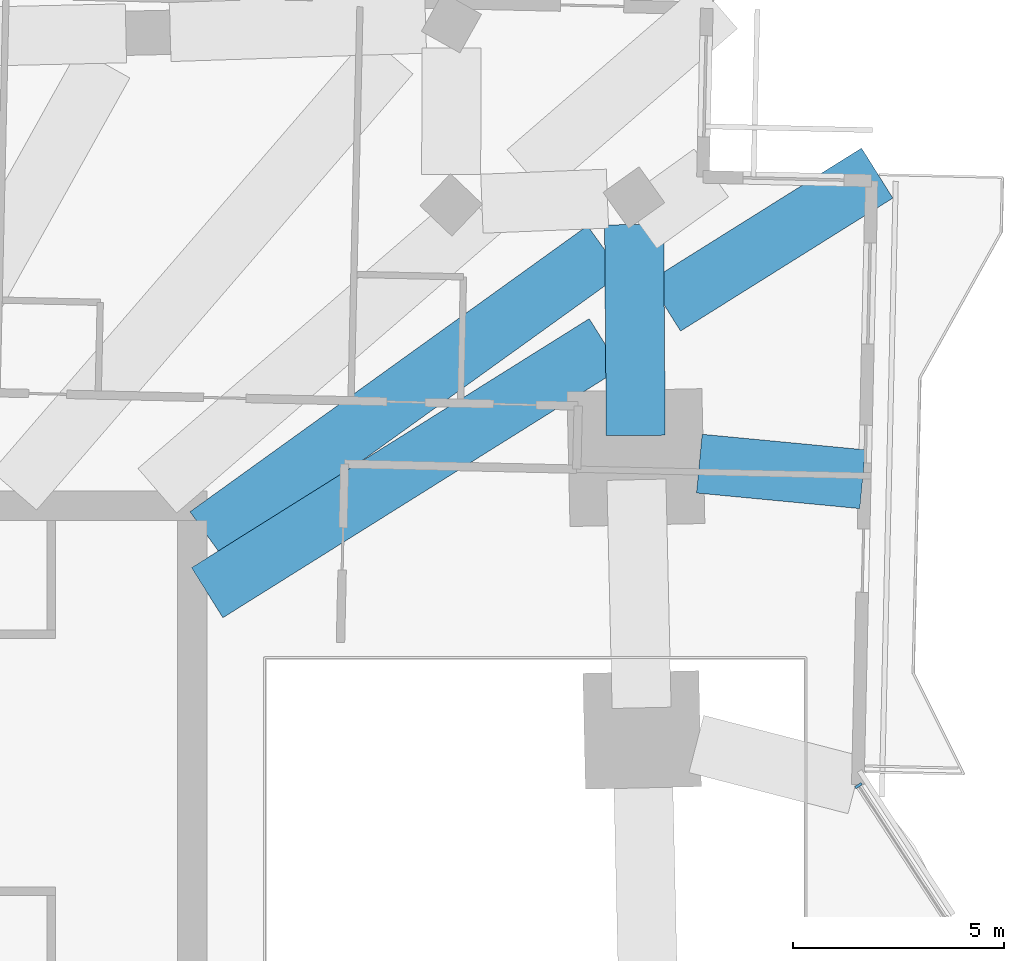
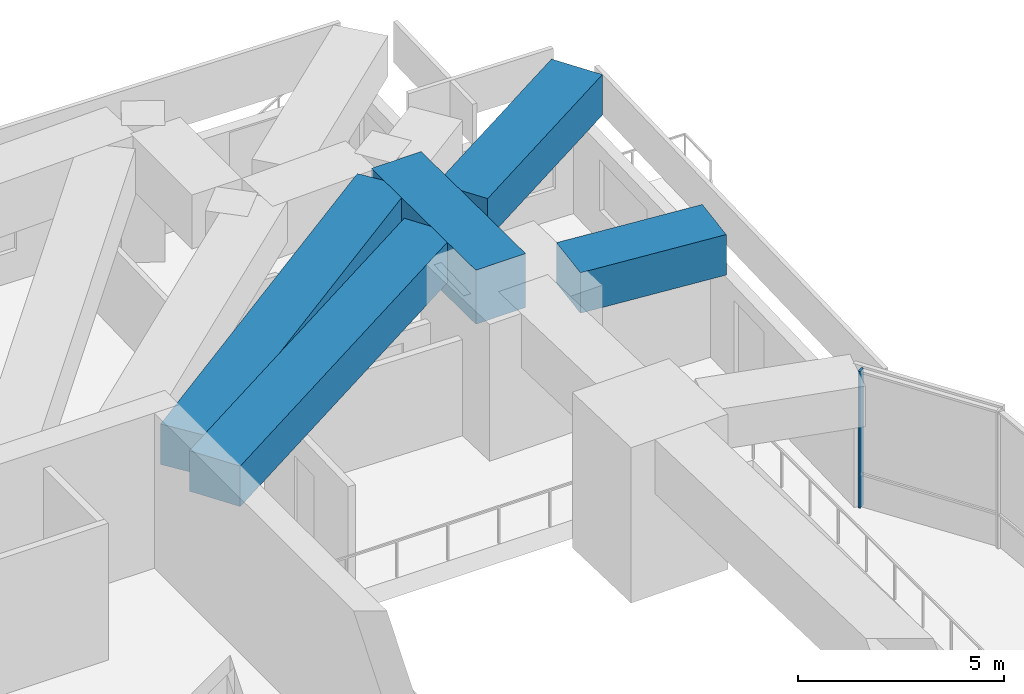
# One storey, part 7 of 20: 5 beams, 1 member, 1 element without a shape of its own.
"""IFC4 building model written with IfcOpenShell, lengths in metres."""

from ifc_helpers import new_model, si_unit, direction, frame, origin, origin_2d, place, context, subcontext, project, spatial, rectangle, extrude, material, material_profile, profile_set, type_object, element, aggregate, save


model = new_model("IFC4")

# Units and contexts
model_context = context("Model", 3, precision=1e-05, world=origin(), true_north=direction((0.0, 1.0)))
body_context = subcontext(model_context, "Body", "Model", "MODEL_VIEW")
ifc_project = project(units=[si_unit("LENGTHUNIT", "METRE"), si_unit("AREAUNIT", "SQUARE_METRE"), si_unit("VOLUMEUNIT", "CUBIC_METRE"), si_unit("PLANEANGLEUNIT", "RADIAN"), si_unit("MASSUNIT", "GRAM", prefix="KILO")], contexts=[model_context])

# Site, building, storey
site_placement = place(None, origin())
site = spatial("IfcSite", under=ifc_project, at=site_placement, CompositionType="ELEMENT")
building_placement = place(site_placement, origin())
building = spatial("IfcBuilding", under=site, at=building_placement, Name="Mangrove Gate Tower", CompositionType="ELEMENT")
storey_placement = place(building_placement, frame((0.0, 0.0, 252.699951171875)))
storey = spatial("IfcBuildingStorey", under=building, at=storey_placement, Name="L64", CompositionType="ELEMENT", Elevation=252.699951171875)

# Curtain wall, member
ifc_material_1 = material(Name="Aluminium and glass curtain wall", Category="aluminium")
curtain_wall_type = type_object("IfcCurtainWallType", Name="Sky-lounge glazing wall", PredefinedType="NOTDEFINED", material=ifc_material_1)
curtain_wall_placement = place(storey_placement, origin())
curtain_wall = element("IfcCurtainWall", 1, at=curtain_wall_placement, inside=storey, type_object=curtain_wall_type, Name="Sky-lounge glazing E1f3", PredefinedType="NOTDEFINED")
ifc_material_2 = material(Name="Aluminium alloy 6063-T6", Category="aluminium")
ifc_material_profile_1 = material_profile(ifc_material_2, rectangle(XDim=0.06005859375, YDim=0.179931640625, at=origin_2d()))
ifc_profile_set_1 = profile_set([ifc_material_profile_1], Name="Aluminium alloy 6063-T6")
member_type = type_object("IfcMemberType", Name="Sky-lounge glazing mullion 60x180", PredefinedType="MULLION", material=ifc_profile_set_1)
member_placement = place(storey_placement, frame((29.949951171875, 4.50439453125, 0.0), z_axis=(0.0, 0.0, 1.0), x_axis=(-0.546235085045, 0.837631919083, 0.0)))
member = element("IfcMember", 2, at=member_placement, type_object=member_type, Name="CWK mullion 2", PredefinedType="MULLION", context=body_context, shape_type="SweptSolid", body=[
    extrude(rectangle(XDim=0.06005859375, YDim=0.179931640625, at=origin_2d()), origin(), (0.0, 0.0, 1.0), 4.050048828125),
])
aggregate(curtain_wall, [member])

# Beams
ifc_material_3 = material(Name="Concrete C60/75", Category="concrete")
ifc_material_profile_2 = material_profile(ifc_material_3, rectangle(XDim=1.39990234375, YDim=1.199951171875, at=origin_2d()))
ifc_profile_set_2 = profile_set([ifc_material_profile_2], Name="Concrete C60/75")
beam_type_1 = type_object("IfcBeamType", Name="Transfer girder RC 1400x1200 C60/75", PredefinedType="BEAM", material=ifc_profile_set_2)
beam_1_placement = place(storey_placement, frame((26.173583984375, 12.1435546875, 3.449951171875), z_axis=(0.995477406048, -0.094998600237, 0.0), x_axis=(0.094998600237, 0.995477406048, 0.0)))
element("IfcBeam", 3, at=beam_1_placement, inside=storey, type_object=beam_type_1, Name="Transfer edge girder L64 17", PredefinedType="BEAM", context=body_context, shape_type="SweptSolid", body=[
    extrude(rectangle(XDim=1.39990234375, YDim=1.199951171875, at=origin_2d()), origin(), (0.0, 0.0, 1.0), 3.890869140625),
])
beam_2_placement = place(storey_placement, frame((14.5, 9.081298828125, 3.449951171875), z_axis=(0.847509935536, 0.530779529718, 0.0), x_axis=(-0.530779529718, 0.847509935536, 0.0)))
element("IfcBeam", 4, at=beam_2_placement, inside=storey, type_object=beam_type_1, Name="Transfer girder L64 18", PredefinedType="BEAM", context=body_context, shape_type="SweptSolid", body=[
    extrude(rectangle(XDim=1.39990234375, YDim=1.199951171875, at=origin_2d()), origin(), (0.0, 0.0, 1.0), 11.1298828125),
])
beam_3_placement = place(storey_placement, frame((25.3564453125, 15.88037109375, 3.449951171875), z_axis=(0.847494798762, 0.530803698246, 0.0), x_axis=(-0.530803698246, 0.847494798762, 0.0)))
element("IfcBeam", 5, at=beam_3_placement, inside=storey, type_object=beam_type_1, Name="Transfer cantilever girder L64 18", PredefinedType="BEAM", context=body_context, shape_type="SweptSolid", body=[
    extrude(rectangle(XDim=1.39990234375, YDim=1.199951171875, at=origin_2d()), origin(), (0.0, 0.0, 1.0), 5.94287109375),
])
beam_4_placement = place(storey_placement, frame((14.5, 10.43408203125, 3.449951171875), z_axis=(0.81169058467, 0.584087660166, 0.0), x_axis=(-0.584087660166, 0.81169058467, 0.0)))
element("IfcBeam", 6, at=beam_4_placement, inside=storey, type_object=beam_type_1, Name="Transfer girder L64 19", PredefinedType="BEAM", context=body_context, shape_type="SweptSolid", body=[
    extrude(rectangle(XDim=1.39990234375, YDim=1.199951171875, at=origin_2d()), origin(), (0.0, 0.0, 1.0), 11.61572265625),
])
ifc_material_4 = material(Name="Concrete C60/75", Category="concrete")
ifc_material_profile_3 = material_profile(ifc_material_4, rectangle(XDim=1.39990234375, YDim=1.60009765625, at=origin_2d()))
ifc_profile_set_3 = profile_set([ifc_material_profile_3], Name="Concrete C60/75")
beam_type_2 = type_object("IfcBeamType", Name="Transfer girder RC 1400x1600 C60/75", PredefinedType="BEAM", material=ifc_profile_set_3)
beam_5_placement = place(storey_placement, frame((24.6650390625, 12.812255859375, 3.25), z_axis=(-0.007810736151, 0.999969495735, 0.0), x_axis=(-0.999969495735, -0.007810736151, 0.0)))
element("IfcBeam", 7, at=beam_5_placement, inside=storey, type_object=beam_type_2, Name="Transfer ring girder L64 16", PredefinedType="BEAM", context=body_context, shape_type="SweptSolid", body=[
    extrude(rectangle(XDim=1.39990234375, YDim=1.60009765625, at=origin_2d()), origin(), (0.0, 0.0, 1.0), 5.001220703125),
])

save(model, "model.ifc")
